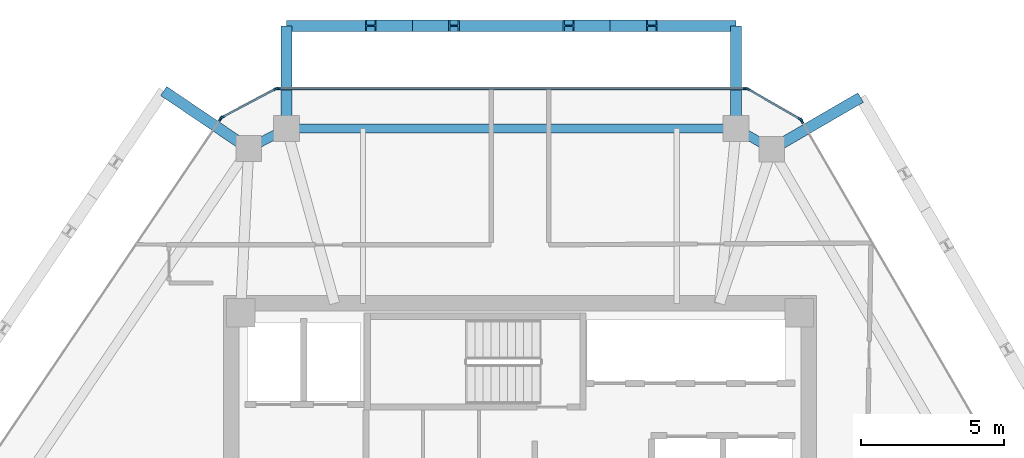
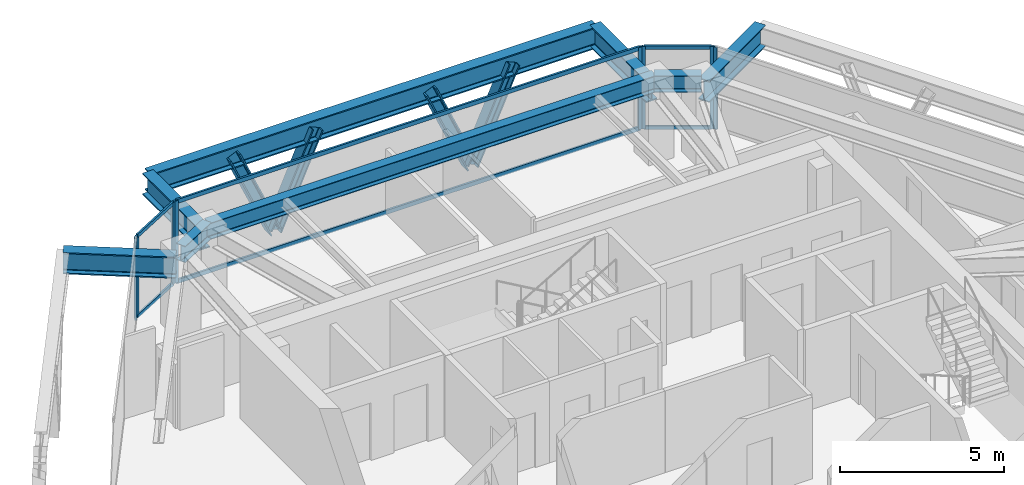
# One storey, part 6 of 11: 18 members, 8 beams, 5 elements without a shape of their own.
"""IFC4 building model written with IfcOpenShell, lengths in metres."""

from ifc_helpers import new_model, si_unit, direction, frame, origin, origin_2d, place, context, subcontext, project, spatial, rectangle, i_section, extrude, source, transform, mapped, material, layer, layer_set, material_profile, profile_set, type_object, type_shapes, element, aggregate, save


model = new_model("IFC4")

# Units and contexts
model_context = context("Model", 3, precision=1e-05, world=origin(), true_north=direction((0.0, 1.0)))
body_context = subcontext(model_context, "Body", "Model", "MODEL_VIEW")
ifc_project = project(units=[si_unit("LENGTHUNIT", "METRE"), si_unit("AREAUNIT", "SQUARE_METRE"), si_unit("VOLUMEUNIT", "CUBIC_METRE"), si_unit("PLANEANGLEUNIT", "RADIAN"), si_unit("MASSUNIT", "GRAM", prefix="KILO")], contexts=[model_context])

# Site, building, storey
site_placement = place(None, origin())
site = spatial("IfcSite", under=ifc_project, at=site_placement, CompositionType="ELEMENT")
building_placement = place(site_placement, origin())
building = spatial("IfcBuilding", under=site, at=building_placement, Name="Durnholm Broadcast Tower", CompositionType="ELEMENT")
storey_placement = place(building_placement, frame((0.0, 0.0, 244.699951171875)))
storey = spatial("IfcBuildingStorey", under=building, at=storey_placement, Name="L68", CompositionType="ELEMENT", Elevation=244.699951171875)

# Beams
ifc_material_1 = material(Name="Steel ASTM A992 Grade 50", Category="steel")
ifc_material_profile_1 = material_profile(ifc_material_1, i_section(OverallWidth=0.385009765625, OverallDepth=0.802978515625, WebThickness=0.023681640625, FlangeThickness=0.0419921875, FilletRadius=0.032958984375, at=origin_2d()), Name="W30X261")
ifc_profile_set_1 = profile_set([ifc_material_profile_1], Name="Steel ASTM A992 Grade 50")
beam_type_1 = type_object("IfcBeamType", Name="BM-EXO-TIE", PredefinedType="USERDEFINED", material=ifc_profile_set_1)
shared_shape_1 = source(origin(), body_context, "Body", "SweptSolid", [
    extrude(i_section(OverallWidth=0.385009765625, OverallDepth=0.802978515625, WebThickness=0.023681640625, FlangeThickness=0.0419921875, FilletRadius=0.032958984375, at=origin_2d()), origin(), (0.0, 0.0, 1.0), 3.4560546875),
])
for number, where, z_axis, x_axis, name in (
    (1, (7.57958984375, 14.406005859375, 2.30859375), (0.0, 1.0, 0.0), (-1.0, 0.0, 0.0), "L68 exoskeleton stand-off tie bracket F4.1"),
    (2, (-8.187744140625, 14.406005859375, 2.30859375), (0.0, 1.0, 0.0), (-1.0, 0.0, 0.0), "L68 exoskeleton stand-off tie bracket F4.2"),
):
    element("IfcBeam", number, at=place(storey_placement, frame(where, z_axis=z_axis, x_axis=x_axis)), inside=storey, type_object=beam_type_1, Name=name, ObjectType="GIRDER", PredefinedType="USERDEFINED", context=body_context, shape_type="MappedRepresentation", body=[
        mapped(shared_shape_1, transform((0.0, 0.0, 0.0), x_axis=(1.0, 0.0, 0.0), y_axis=(0.0, 1.0, 0.0), z_axis=(0.0, 0.0, 1.0), scale=1.0)),
    ])
shared_shape_2 = source(origin(), body_context, "Body", "SweptSolid", [
    extrude(i_section(OverallWidth=0.385009765625, OverallDepth=0.802978515625, WebThickness=0.023681640625, FlangeThickness=0.0419921875, FilletRadius=0.032958984375, at=origin_2d()), origin(), (0.0, 0.0, 1.0), 3.455810546875),
])
for number, where, z_axis, x_axis, name in (
    (3, (8.9619140625, 13.610107421875, 2.30859375), (0.864906682814, 0.501932694715, 0.0), (-0.501932694715, 0.864906682814, 0.0), "L68 exoskeleton stand-off tie bracket F3.2"),
    (4, (-9.63427734375, 13.637939453125, 2.30859375), (-0.828446342252, 0.560068440469, 0.0), (-0.560068440469, -0.828446342252, 0.0), "L68 exoskeleton stand-off tie bracket F5.1"),
):
    element("IfcBeam", number, at=place(storey_placement, frame(where, z_axis=z_axis, x_axis=x_axis)), inside=storey, type_object=beam_type_1, Name=name, ObjectType="GIRDER", PredefinedType="USERDEFINED", context=body_context, shape_type="MappedRepresentation", body=[
        mapped(shared_shape_2, transform((0.0, 0.0, 0.0), x_axis=(1.0, 0.0, 0.0), y_axis=(0.0, 1.0, 0.0), z_axis=(0.0, 0.0, 1.0), scale=1.0)),
    ])
ifc_material_profile_2 = material_profile(ifc_material_1, i_section(OverallWidth=0.3251953125, OverallDepth=0.6162109375, WebThickness=0.013916015625, FlangeThickness=0.021484375, FilletRadius=0.02783203125, at=origin_2d()), Name="W24X117")
ifc_profile_set_2 = profile_set([ifc_material_profile_2], Name="Steel ASTM A992 Grade 50")
beam_type_2 = type_object("IfcBeamType", Name="STL-SP-W24X117", PredefinedType="SPANDREL", material=ifc_profile_set_2)
shared_shape_3 = source(origin(), body_context, "Body", "SweptSolid", [
    extrude(i_section(OverallWidth=0.3251953125, OverallDepth=0.6162109375, WebThickness=0.013916015625, FlangeThickness=0.021484375, FilletRadius=0.02783203125, at=origin_2d()), origin(), (0.0, 0.0, 1.0), 1.502685546875),
])
beam_1_placement = place(storey_placement, frame((-9.514892578125, 13.557373046875, 2.737060546875), z_axis=(0.883241909673, 0.468917614296, 0.0), x_axis=(-0.468917614296, 0.883241909673, 0.0)))
element("IfcBeam", 5, at=beam_1_placement, inside=storey, type_object=beam_type_2, Name="L68 perimeter spandrel girder 04", PredefinedType="SPANDREL", context=body_context, shape_type="MappedRepresentation", body=[
    mapped(shared_shape_3, transform((0.0, 0.0, 0.0), x_axis=(1.0, 0.0, 0.0), y_axis=(0.0, 1.0, 0.0), z_axis=(0.0, 0.0, 1.0), scale=1.0)),
])
shared_shape_4 = source(origin(), body_context, "Body", "SweptSolid", [
    extrude(i_section(OverallWidth=0.3251953125, OverallDepth=0.6162109375, WebThickness=0.013916015625, FlangeThickness=0.021484375, FilletRadius=0.02783203125, at=origin_2d()), origin(), (0.0, 0.0, 1.0), 15.767333984375),
])
beam_2_placement = place(storey_placement, frame((-8.187744140625, 14.261962890625, 2.737060546875), z_axis=(1.0, 0.0, 0.0), x_axis=(0.0, 1.0, 0.0)))
element("IfcBeam", 6, at=beam_2_placement, inside=storey, type_object=beam_type_2, Name="L68 perimeter spandrel girder 05", PredefinedType="SPANDREL", context=body_context, shape_type="MappedRepresentation", body=[
    mapped(shared_shape_4, transform((0.0, 0.0, 0.0), x_axis=(1.0, 0.0, 0.0), y_axis=(0.0, 1.0, 0.0), z_axis=(0.0, 0.0, 1.0), scale=1.0)),
])
shared_shape_5 = source(origin(), body_context, "Body", "SweptSolid", [
    extrude(i_section(OverallWidth=0.3251953125, OverallDepth=0.6162109375, WebThickness=0.013916015625, FlangeThickness=0.021484375, FilletRadius=0.02783203125, at=origin_2d()), origin(), (0.0, 0.0, 1.0), 1.451416015625),
])
type_shapes(beam_type_2, [shared_shape_3, shared_shape_4, shared_shape_5])
beam_3_placement = place(storey_placement, frame((7.57958984375, 14.261962890625, 2.737060546875), z_axis=(0.866571760088, -0.499052486836, 0.0), x_axis=(0.499052486836, 0.866571760088, 0.0)))
element("IfcBeam", 7, at=beam_3_placement, inside=storey, type_object=beam_type_2, Name="L68 perimeter spandrel girder 06", PredefinedType="SPANDREL", context=body_context, shape_type="MappedRepresentation", body=[
    mapped(shared_shape_5, transform((0.0, 0.0, 0.0), x_axis=(1.0, 0.0, 0.0), y_axis=(0.0, 1.0, 0.0), z_axis=(0.0, 0.0, 1.0), scale=1.0)),
])
shared_shape_6 = source(origin(), body_context, "Body", "SweptSolid", [
    extrude(i_section(OverallWidth=0.385009765625, OverallDepth=0.802978515625, WebThickness=0.023681640625, FlangeThickness=0.0419921875, FilletRadius=0.032958984375, at=origin_2d()), origin(), (0.0, 0.0, 1.0), 15.767333984375),
])
type_shapes(beam_type_1, [shared_shape_1, shared_shape_2, shared_shape_6])
beam_4_placement = place(storey_placement, frame((7.57958984375, 17.862060546875, 2.30859375), z_axis=(-1.0, 0.0, 0.0), x_axis=(0.0, -1.0, 0.0)))
element("IfcBeam", 8, at=beam_4_placement, inside=storey, type_object=beam_type_1, Name="L68 exoskeleton collector spandrel F4", PredefinedType="SPANDREL", context=body_context, shape_type="MappedRepresentation", body=[
    mapped(shared_shape_6, transform((0.0, 0.0, 0.0), x_axis=(1.0, 0.0, 0.0), y_axis=(0.0, 1.0, 0.0), z_axis=(0.0, 0.0, 1.0), scale=1.0)),
])

# Members
ifc_material_2 = material(Name="Steel ASTM A913 Grade 65", Category="steel")
ifc_material_profile_3 = material_profile(ifc_material_2, i_section(OverallWidth=0.40625, OverallDepth=0.416015625, WebThickness=0.02978515625, FlangeThickness=0.048095703125, FilletRadius=0.030517578125, at=origin_2d()), Name="W14X257")
ifc_profile_set_3 = profile_set([ifc_material_profile_3], Name="Steel ASTM A913 Grade 65")
member_type_1 = type_object("IfcMemberType", Name="STL-DG-W14X257", PredefinedType="BRACE", material=ifc_profile_set_3)
shared_shape_7 = source(origin(), body_context, "Body", "SweptSolid", [
    extrude(i_section(OverallWidth=0.40625, OverallDepth=0.416015625, WebThickness=0.02978515625, FlangeThickness=0.048095703125, FilletRadius=0.030517578125, at=origin_2d()), origin(), (0.0, 0.0, 1.0), 3.60791015625),
])
for number, where, z_axis, x_axis, name in (
    (9, (3.164794921875, 17.862060546875, -0.991455078125), (0.404184914295, 0.0, 0.914677295584), (0.0, 1.0, 0.0), "L68 stand-off diagrid brace F4.D1.1"),
    (10, (3.164794921875, 17.862060546875, -0.991455078125), (-0.404184914295, 0.0, 0.914677295584), (0.0, -1.0, 0.0), "L68 stand-off diagrid brace F4.D1.2"),
    (11, (-3.772705078125, 17.862060546875, -0.991455078125), (-0.404184914295, 0.0, 0.914677295584), (0.0, -1.0, 0.0), "L68 stand-off diagrid brace F4.D2.2"),
):
    element("IfcMember", number, at=place(storey_placement, frame(where, z_axis=z_axis, x_axis=x_axis)), inside=storey, type_object=member_type_1, Name=name, PredefinedType="BRACE", context=body_context, shape_type="MappedRepresentation", body=[
        mapped(shared_shape_7, transform((0.0, 0.0, 0.0), x_axis=(1.0, 0.0, 0.0), y_axis=(0.0, 1.0, 0.0), z_axis=(0.0, 0.0, 1.0), scale=1.0)),
    ])
shared_shape_8 = source(origin(), body_context, "Body", "SweptSolid", [
    extrude(i_section(OverallWidth=0.40625, OverallDepth=0.416015625, WebThickness=0.02978515625, FlangeThickness=0.048095703125, FilletRadius=0.030517578125, at=origin_2d()), origin(), (0.0, 0.0, 1.0), 3.607666015625),
])
type_shapes(member_type_1, [shared_shape_7, shared_shape_8])
member_1_placement = place(storey_placement, frame((-3.772705078125, 17.862060546875, -0.991455078125), z_axis=(0.404128298032, 0.0, 0.914702311536), x_axis=(0.0, 1.0, 0.0)))
element("IfcMember", 12, at=member_1_placement, inside=storey, type_object=member_type_1, Name="L68 stand-off diagrid brace F4.D2.1", PredefinedType="BRACE", context=body_context, shape_type="MappedRepresentation", body=[
    mapped(shared_shape_8, transform((0.0, 0.0, 0.0), x_axis=(1.0, 0.0, 0.0), y_axis=(0.0, 1.0, 0.0), z_axis=(0.0, 0.0, 1.0), scale=1.0)),
])

# Curtain wall, members
ifc_material_3 = material(Name="Aluminium and Solar Control IGU", Category="aluminium")
ifc_layer_1 = layer(ifc_material_3, 0.1650390625)
ifc_layer_set_1 = layer_set([ifc_layer_1], Name="Aluminium and Solar Control IGU")
curtain_wall_type_1 = type_object("IfcCurtainWallType", Name="CW-SYS-5", PredefinedType="NOTDEFINED", material=ifc_layer_set_1)
curtain_wall_1_placement = place(storey_placement, origin())
curtain_wall_1 = element("IfcCurtainWall", 13, at=curtain_wall_1_placement, inside=storey, type_object=curtain_wall_type_1, Name="L68 curtain wall CW-CORNER CW-L68-CRN-03", PredefinedType="NOTDEFINED")
ifc_material_4 = material(Name="Aluminium 6063-T6", Category="aluminium")
ifc_material_profile_4 = material_profile(ifc_material_4, rectangle(XDim=0.06494140625, YDim=0.1298828125, at=origin_2d()), Name="CWT65X130")
ifc_profile_set_4 = profile_set([ifc_material_profile_4], Name="Aluminium 6063-T6")
member_type_2 = type_object("IfcMemberType", Name="CW-SYS-5-TRN", PredefinedType="USERDEFINED", material=ifc_profile_set_4)
shared_shape_9 = source(origin(), body_context, "Body", "SweptSolid", [
    extrude(rectangle(XDim=0.06494140625, YDim=0.1298828125, at=origin_2d()), origin(), (0.0, 0.0, 1.0), 2.070068359375),
])
type_shapes(member_type_2, [shared_shape_9])
member_2_placement = place(storey_placement, frame((-10.421875, 14.66064453125, 0.032470703125), z_axis=(0.883164581026, 0.469063239682, 0.0), x_axis=(-0.469063239682, 0.883164581026, 0.0)))
member_2 = element("IfcMember", 14, at=member_2_placement, type_object=member_type_2, Name="CW-CORNER transom 1.1", ObjectType="TRANSOM", PredefinedType="USERDEFINED", context=body_context, shape_type="MappedRepresentation", body=[
    mapped(shared_shape_9, transform((0.0, 0.0, 0.0), x_axis=(1.0, 0.0, 0.0), y_axis=(0.0, 1.0, 0.0), z_axis=(0.0, 0.0, 1.0), scale=1.0)),
])
member_3_placement = place(storey_placement, frame((-10.421875, 14.66064453125, 3.027587890625), z_axis=(0.883164581026, 0.469063239682, 0.0), x_axis=(-0.469063239682, 0.883164581026, 0.0)))
member_3 = element("IfcMember", 15, at=member_3_placement, type_object=member_type_2, Name="CW-CORNER transom 1.2", ObjectType="TRANSOM", PredefinedType="USERDEFINED", context=body_context, shape_type="MappedRepresentation", body=[
    mapped(shared_shape_9, transform((0.0, 0.0, 0.0), x_axis=(1.0, 0.0, 0.0), y_axis=(0.0, 1.0, 0.0), z_axis=(0.0, 0.0, 1.0), scale=1.0)),
])

curtain_wall_2_placement = place(storey_placement, origin())
curtain_wall_2 = element("IfcCurtainWall", 16, at=curtain_wall_2_placement, inside=storey, type_object=curtain_wall_type_1, Name="L68 curtain wall CW-CORNER CW-L68-CRN-05", PredefinedType="NOTDEFINED")
member_4_placement = place(storey_placement, frame((8.01025390625, 15.629638671875, 0.032470703125), z_axis=(0.866525076636, -0.499133540809, 0.0), x_axis=(0.499133540809, 0.866525076636, 0.0)))
member_4 = element("IfcMember", 17, at=member_4_placement, type_object=member_type_2, Name="CW-CORNER transom 1.1", ObjectType="TRANSOM", PredefinedType="USERDEFINED", context=body_context, shape_type="MappedRepresentation", body=[
    mapped(shared_shape_9, transform((0.0, 0.0, 0.0), x_axis=(1.0, 0.0, 0.0), y_axis=(0.0, 1.0, 0.0), z_axis=(0.0, 0.0, 1.0), scale=1.0)),
])
member_5_placement = place(storey_placement, frame((8.01025390625, 15.629638671875, 3.027587890625), z_axis=(0.866525076636, -0.499133540809, 0.0), x_axis=(0.499133540809, 0.866525076636, 0.0)))
member_5 = element("IfcMember", 18, at=member_5_placement, type_object=member_type_2, Name="CW-CORNER transom 1.2", ObjectType="TRANSOM", PredefinedType="USERDEFINED", context=body_context, shape_type="MappedRepresentation", body=[
    mapped(shared_shape_9, transform((0.0, 0.0, 0.0), x_axis=(1.0, 0.0, 0.0), y_axis=(0.0, 1.0, 0.0), z_axis=(0.0, 0.0, 1.0), scale=1.0)),
])

# Member
ifc_material_profile_5 = material_profile(ifc_material_4, rectangle(XDim=0.06494140625, YDim=0.1650390625, at=origin_2d()), Name="CWM65X165")
ifc_profile_set_5 = profile_set([ifc_material_profile_5], Name="Aluminium 6063-T6")
member_type_3 = type_object("IfcMemberType", Name="CW-SYS-5-MUL", PredefinedType="MULLION", material=ifc_profile_set_5)
shared_shape_10 = source(origin(), body_context, "Body", "SweptSolid", [
    extrude(rectangle(XDim=0.06494140625, YDim=0.1650390625, at=origin_2d()), origin(), (0.0, 0.0, 1.0), 3.06005859375),
])
type_shapes(member_type_3, [shared_shape_10])
member_6_placement = place(storey_placement, frame((-10.45068359375, 14.6455078125, 0.0), z_axis=(0.0, 0.0, 1.0), x_axis=(-0.469006771575, 0.883194569853, 0.0)))
member_6 = element("IfcMember", 19, at=member_6_placement, type_object=member_type_3, Name="CW-CORNER mullion 1", PredefinedType="MULLION", context=body_context, shape_type="MappedRepresentation", body=[
    mapped(shared_shape_10, transform((0.0, 0.0, 0.0), x_axis=(1.0, 0.0, 0.0), y_axis=(0.0, 1.0, 0.0), z_axis=(0.0, 0.0, 1.0), scale=1.0)),
])

member_7_placement = place(storey_placement, frame((-8.565185546875, 15.646728515625, 0.0), z_axis=(0.0, 0.0, 1.0), x_axis=(-0.469006771575, 0.883194569853, 0.0)))
member_7 = element("IfcMember", 20, at=member_7_placement, type_object=member_type_3, Name="CW-CORNER mullion 2", PredefinedType="MULLION", context=body_context, shape_type="MappedRepresentation", body=[
    mapped(shared_shape_10, transform((0.0, 0.0, 0.0), x_axis=(1.0, 0.0, 0.0), y_axis=(0.0, 1.0, 0.0), z_axis=(0.0, 0.0, 1.0), scale=1.0)),
])

aggregate(curtain_wall_1, [member_6, member_7, member_2, member_3])

member_8_placement = place(storey_placement, frame((7.982177734375, 15.645751953125, 0.0), z_axis=(0.0, 0.0, 1.0), x_axis=(0.499058582333, 0.866568249707, 0.0)))
member_8 = element("IfcMember", 21, at=member_8_placement, type_object=member_type_3, Name="CW-CORNER mullion 1", PredefinedType="MULLION", context=body_context, shape_type="MappedRepresentation", body=[
    mapped(shared_shape_10, transform((0.0, 0.0, 0.0), x_axis=(1.0, 0.0, 0.0), y_axis=(0.0, 1.0, 0.0), z_axis=(0.0, 0.0, 1.0), scale=1.0)),
])

member_9_placement = place(storey_placement, frame((9.832275390625, 14.580322265625, 0.0), z_axis=(0.0, 0.0, 1.0), x_axis=(0.499058582333, 0.866568249707, 0.0)))
member_9 = element("IfcMember", 22, at=member_9_placement, type_object=member_type_3, Name="CW-CORNER mullion 2", PredefinedType="MULLION", context=body_context, shape_type="MappedRepresentation", body=[
    mapped(shared_shape_10, transform((0.0, 0.0, 0.0), x_axis=(1.0, 0.0, 0.0), y_axis=(0.0, 1.0, 0.0), z_axis=(0.0, 0.0, 1.0), scale=1.0)),
])

aggregate(curtain_wall_2, [member_8, member_9, member_4, member_5])

# Curtain wall, member
ifc_layer_2 = layer(ifc_material_3, 0.18994140625)
ifc_layer_set_2 = layer_set([ifc_layer_2], Name="Aluminium and Solar Control IGU")
curtain_wall_type_2 = type_object("IfcCurtainWallType", Name="CW-SYS-4", PredefinedType="NOTDEFINED", material=ifc_layer_set_2)
curtain_wall_3_placement = place(storey_placement, origin())
curtain_wall_3 = element("IfcCurtainWall", 23, at=curtain_wall_3_placement, inside=storey, type_object=curtain_wall_type_2, Name="L68 curtain wall CW-Z34-VIS CW-L68-F02", PredefinedType="NOTDEFINED")
ifc_material_profile_6 = material_profile(ifc_material_4, rectangle(XDim=0.070068359375, YDim=0.18994140625, at=origin_2d()), Name="CWM70X190")
ifc_profile_set_6 = profile_set([ifc_material_profile_6], Name="Aluminium 6063-T6")
member_type_4 = type_object("IfcMemberType", Name="CW-SYS-4-MUL", PredefinedType="MULLION", material=ifc_profile_set_6)
shared_shape_11 = source(origin(), body_context, "Body", "SweptSolid", [
    extrude(rectangle(XDim=0.070068359375, YDim=0.18994140625, at=origin_2d()), origin(), (0.0, 0.0, 1.0), 3.06005859375),
])
type_shapes(member_type_4, [shared_shape_11])
member_10_placement = place(storey_placement, frame((-10.4990234375, 14.601318359375, 0.0), z_axis=(0.0, 0.0, 1.0), x_axis=(-0.828443431662, 0.560072745753, 0.0)))
member_10 = element("IfcMember", 24, at=member_10_placement, type_object=member_type_4, Name="CW-Z34-VIS mullion 2", PredefinedType="MULLION", context=body_context, shape_type="MappedRepresentation", body=[
    mapped(shared_shape_11, transform((0.0, 0.0, 0.0), x_axis=(1.0, 0.0, 0.0), y_axis=(0.0, 1.0, 0.0), z_axis=(0.0, 0.0, 1.0), scale=1.0)),
])
aggregate(curtain_wall_3, [member_10])

# Curtain wall, members
curtain_wall_4_placement = place(storey_placement, origin())
curtain_wall_4 = element("IfcCurtainWall", 25, at=curtain_wall_4_placement, inside=storey, type_object=curtain_wall_type_2, Name="L68 curtain wall CW-Z34-VIS CW-L68-F04", PredefinedType="NOTDEFINED")
member_11_placement = place(storey_placement, frame((-8.50146484375, 15.662109375, 0.0), z_axis=(0.0, 0.0, 1.0), x_axis=(0.0, 1.0, 0.0)))
member_11 = element("IfcMember", 26, at=member_11_placement, type_object=member_type_4, Name="CW-Z34-VIS mullion 1", PredefinedType="MULLION", context=body_context, shape_type="MappedRepresentation", body=[
    mapped(shared_shape_11, transform((0.0, 0.0, 0.0), x_axis=(1.0, 0.0, 0.0), y_axis=(0.0, 1.0, 0.0), z_axis=(0.0, 0.0, 1.0), scale=1.0)),
])
member_12_placement = place(storey_placement, frame((7.9189453125, 15.662109375, 0.0), z_axis=(0.0, 0.0, 1.0), x_axis=(0.0, 1.0, 0.0)))
member_12 = element("IfcMember", 27, at=member_12_placement, type_object=member_type_4, Name="CW-Z34-VIS mullion 2", PredefinedType="MULLION", context=body_context, shape_type="MappedRepresentation", body=[
    mapped(shared_shape_11, transform((0.0, 0.0, 0.0), x_axis=(1.0, 0.0, 0.0), y_axis=(0.0, 1.0, 0.0), z_axis=(0.0, 0.0, 1.0), scale=1.0)),
])

# Curtain wall, member
curtain_wall_5_placement = place(storey_placement, origin())
curtain_wall_5 = element("IfcCurtainWall", 28, at=curtain_wall_5_placement, inside=storey, type_object=curtain_wall_type_2, Name="L68 curtain wall CW-Z34-VIS CW-L68-F06", PredefinedType="NOTDEFINED")
member_13_placement = place(storey_placement, frame((9.8779296875, 14.533935546875, 0.0), z_axis=(0.0, 0.0, 1.0), x_axis=(0.864899883824, 0.50194441023, 0.0)))
member_13 = element("IfcMember", 29, at=member_13_placement, type_object=member_type_4, Name="CW-Z34-VIS mullion 1", PredefinedType="MULLION", context=body_context, shape_type="MappedRepresentation", body=[
    mapped(shared_shape_11, transform((0.0, 0.0, 0.0), x_axis=(1.0, 0.0, 0.0), y_axis=(0.0, 1.0, 0.0), z_axis=(0.0, 0.0, 1.0), scale=1.0)),
])
aggregate(curtain_wall_5, [member_13])

# Member
ifc_material_profile_7 = material_profile(ifc_material_4, rectangle(XDim=0.070068359375, YDim=0.14990234375, at=origin_2d()), Name="CWT70X150")
ifc_profile_set_7 = profile_set([ifc_material_profile_7], Name="Aluminium 6063-T6")
member_type_5 = type_object("IfcMemberType", Name="CW-SYS-4-TRN", PredefinedType="USERDEFINED", material=ifc_profile_set_7)
shared_shape_12 = source(origin(), body_context, "Body", "SweptSolid", [
    extrude(rectangle(XDim=0.070068359375, YDim=0.14990234375, at=origin_2d()), origin(), (0.0, 0.0, 1.0), 16.350341796875),
])
type_shapes(member_type_5, [shared_shape_12])
member_14_placement = place(storey_placement, frame((-8.46630859375, 15.662109375, 0.03515625), z_axis=(1.0, 0.0, 0.0), x_axis=(0.0, 1.0, 0.0)))
member_14 = element("IfcMember", 30, at=member_14_placement, type_object=member_type_5, Name="CW-Z34-VIS transom 1.1", ObjectType="TRANSOM", PredefinedType="USERDEFINED", context=body_context, shape_type="MappedRepresentation", body=[
    mapped(shared_shape_12, transform((0.0, 0.0, 0.0), x_axis=(1.0, 0.0, 0.0), y_axis=(0.0, 1.0, 0.0), z_axis=(0.0, 0.0, 1.0), scale=1.0)),
])

member_15_placement = place(storey_placement, frame((-8.46630859375, 15.662109375, 3.025146484375), z_axis=(1.0, 0.0, 0.0), x_axis=(0.0, 1.0, 0.0)))
member_15 = element("IfcMember", 31, at=member_15_placement, type_object=member_type_5, Name="CW-Z34-VIS transom 1.2", ObjectType="TRANSOM", PredefinedType="USERDEFINED", context=body_context, shape_type="MappedRepresentation", body=[
    mapped(shared_shape_12, transform((0.0, 0.0, 0.0), x_axis=(1.0, 0.0, 0.0), y_axis=(0.0, 1.0, 0.0), z_axis=(0.0, 0.0, 1.0), scale=1.0)),
])

aggregate(curtain_wall_4, [member_11, member_12, member_14, member_15])

save(model, "model.ifc")
